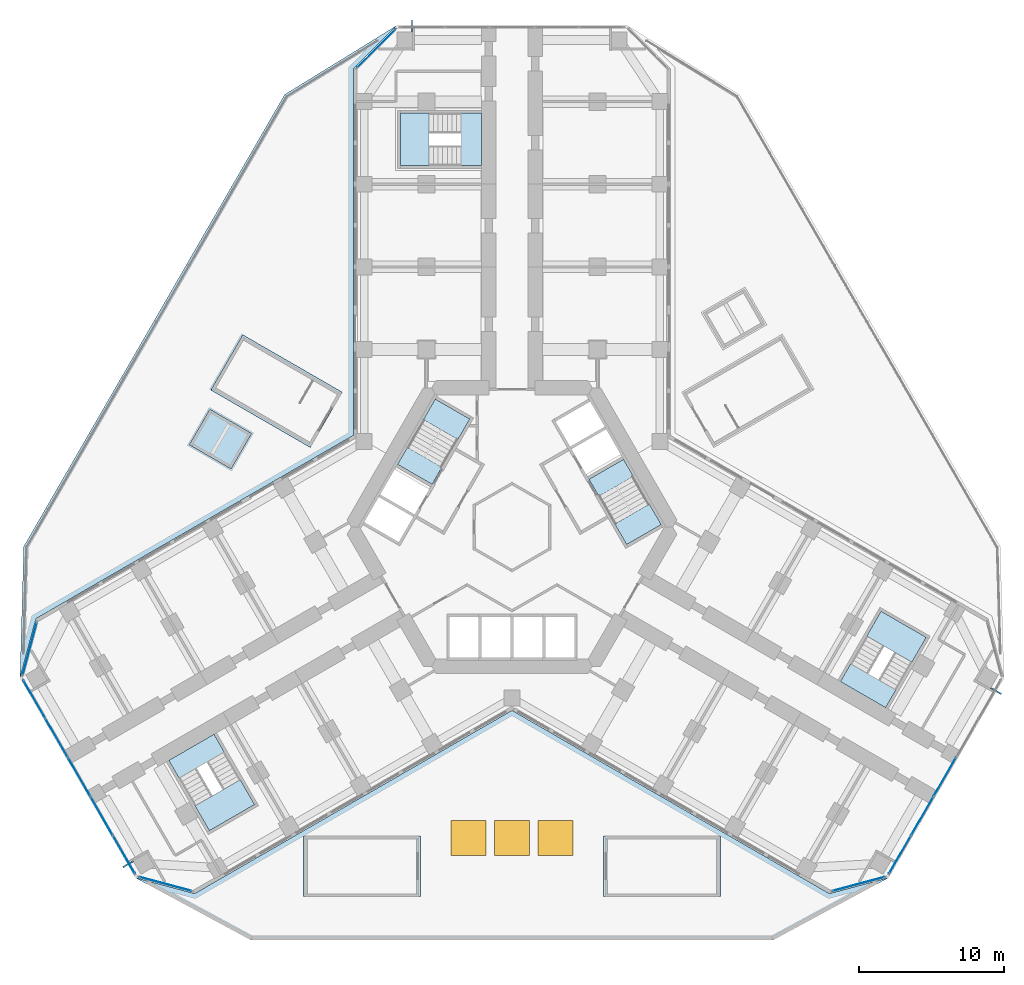
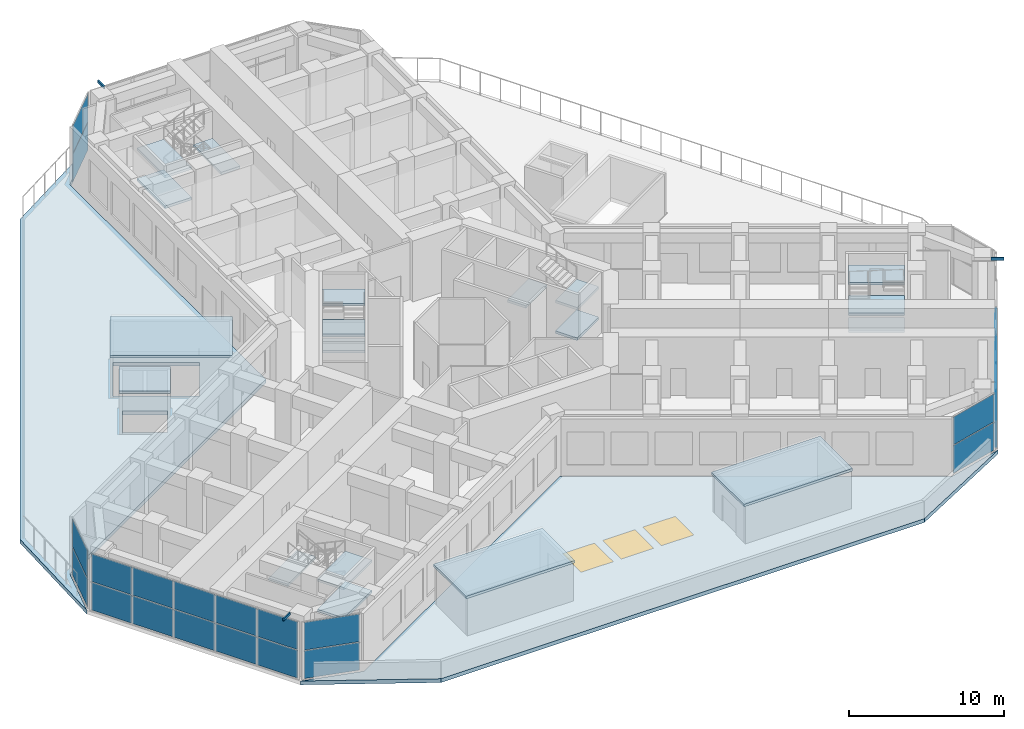
# One storey, part 8 of 18: 24 plates, 21 slabs, 3 members, 3 windows, 3 openings, 11 elements without a shape of their own.
"""IFC4 building model written with IfcOpenShell, lengths in metres."""

from ifc_helpers import new_model, si_unit, direction, frame, origin, origin_2d, place, context, subcontext, project, spatial, polyline, rectangle, hollow_rectangle, outline, extrude, material, layer, layer_set, material_profile, profile_set, type_object, element, fill, aggregate, save


model = new_model("IFC4")

# Units and contexts
model_context = context("Model", 3, precision=1e-05, world=origin(), true_north=direction((0.0, 1.0)))
body_context = subcontext(model_context, "Body", "Model", "MODEL_VIEW")
ifc_project = project(units=[si_unit("LENGTHUNIT", "METRE"), si_unit("AREAUNIT", "SQUARE_METRE"), si_unit("VOLUMEUNIT", "CUBIC_METRE"), si_unit("PLANEANGLEUNIT", "RADIAN"), si_unit("MASSUNIT", "GRAM", prefix="KILO")], contexts=[model_context])

# Site, building, storey
site_placement = place(None, origin())
site = spatial("IfcSite", under=ifc_project, at=site_placement, CompositionType="ELEMENT")
building_placement = place(site_placement, origin())
building = spatial("IfcBuilding", under=site, at=building_placement, Name="Kosmar Iwan School Tower", CompositionType="ELEMENT")
storey_placement = place(building_placement, frame((0.0, 0.0, 20.39990234375)))
storey = spatial("IfcBuildingStorey", under=building, at=storey_placement, Name="L04", CompositionType="ELEMENT", Elevation=20.39990234375)

# Members
ifc_material_1 = material(Name="Steel S355", Category="steel")
ifc_material_profile = material_profile(ifc_material_1, hollow_rectangle(XDim=0.10009765625, YDim=0.199951171875, WallThickness=0.008056640625, at=origin_2d()), Name="RHS 200x100x8")
ifc_profile_set = profile_set([ifc_material_profile], Name="Steel S355")
member_type = type_object("IfcMemberType", Name="Fin bracket RHS 200x100", PredefinedType="USERDEFINED", material=ifc_profile_set)
member_placement = place(storey_placement, frame((33.02392578125, -11.10107421875, 4.675048828125), z_axis=(0.866117008034, -0.49984130321, 0.0), x_axis=(0.49984130321, 0.866117008034, 0.0)))
element("IfcMember", 1, at=member_placement, inside=storey, type_object=member_type, Name="Fin bracket L05", ObjectType="FIN BRACKET", PredefinedType="USERDEFINED", context=body_context, shape_type="SweptSolid", body=[
    extrude(hollow_rectangle(XDim=0.10009765625, YDim=0.199951171875, WallThickness=0.008056640625, at=origin_2d()), origin(), (0.0, 0.0, 1.0), 0.829833984375),
])
for number, where, z_axis, x_axis, name in (
    (2, (-6.898193359375, 34.14990234375, 4.675048828125), (0.0, 1.0, 0.0), (-1.0, 0.0, 0.0), "Fin bracket L05"),
    (3, (-26.125732421875, -23.049072265625, 4.675048828125), (-0.865989634427, -0.500061949227, 0.0), (0.500061949227, -0.865989634427, 0.0), "Fin bracket L05"),
):
    element("IfcMember", number, at=place(storey_placement, frame(where, z_axis=z_axis, x_axis=x_axis)), inside=storey, type_object=member_type, Name=name, ObjectType="FIN BRACKET", PredefinedType="USERDEFINED", context=body_context, shape_type="SweptSolid", body=[
        extrude(hollow_rectangle(XDim=0.10009765625, YDim=0.199951171875, WallThickness=0.008056640625, at=origin_2d()), origin(), (0.0, 0.0, 1.0), 0.830078125),
    ])

# Slab, openings, windows
ifc_material_2 = material(Name="Concrete C35/45", Category="concrete")
ifc_layer_1 = layer(ifc_material_2, 0.300048828125)
ifc_layer_set_1 = layer_set([ifc_layer_1], Name="Atrium roof slab 300")
slab_type_1 = type_object("IfcSlabType", Name="Atrium roof slab 300", PredefinedType="ROOF", material=ifc_layer_set_1)
slab_1_placement = place(storey_placement, frame((0.0, 0.0, -0.2998046875)))
slab_1 = element("IfcSlab", 4, at=slab_1_placement, inside=storey, type_object=slab_type_1, Name="Atrium roof", PredefinedType="ROOF", context=body_context, shape_type="SweptSolid", body=[
    extrude(outline(polyline([(-18.0, -28.5), (18.0, -28.5), (25.989501953125, -24.184814453125), (21.891357421875, -25.282958984375), (0.0, -12.64404296875), (-21.891357421875, -25.282958984375), (-25.989501953125, -24.184814453125), (-18.0, -28.5)])), origin(), (0.0, 0.0, 1.0), 0.2998046875),
])
opening_1_placement = place(slab_1_placement, frame((-3.0, -21.448974609375, 0.0)))
opening_1 = element("IfcOpeningElement", 5, at=opening_1_placement, cuts=slab_1, Name="Opening RL1", PredefinedType="OPENING", context=body_context, shape_type="SweptSolid", body=[
    extrude(rectangle(XDim=2.39990234375, YDim=2.39990234375, at=origin_2d()), origin(), (0.0, 0.0, 1.0), 0.2998046875),
])
opening_2_placement = place(slab_1_placement, frame((0.0, -21.448974609375, 0.0)))
opening_2 = element("IfcOpeningElement", 6, at=opening_2_placement, cuts=slab_1, Name="Opening RL1", PredefinedType="OPENING", context=body_context, shape_type="SweptSolid", body=[
    extrude(rectangle(XDim=2.39990234375, YDim=2.39990234375, at=origin_2d()), origin(), (0.0, 0.0, 1.0), 0.2998046875),
])
opening_3_placement = place(slab_1_placement, frame((3.0, -21.448974609375, 0.0)))
opening_3 = element("IfcOpeningElement", 7, at=opening_3_placement, cuts=slab_1, Name="Opening RL1", PredefinedType="OPENING", context=body_context, shape_type="SweptSolid", body=[
    extrude(rectangle(XDim=2.39990234375, YDim=2.39990234375, at=origin_2d()), origin(), (0.0, 0.0, 1.0), 0.2998046875),
])
ifc_material_3 = material(Name="Triple glazed rooflight")
window_type = type_object("IfcWindowType", Name="Atrium rooflight 2400x2400", PartitioningType="SINGLE_PANEL", PredefinedType="SKYLIGHT", material=ifc_material_3)
window_1_placement = place(opening_1_placement, frame((0.0, 0.0, 0.249755859375)))
window_1 = element("IfcWindow", 8, at=window_1_placement, inside=storey, type_object=window_type, Name="Atrium rooflight 1", OverallHeight=2.39990234375, OverallWidth=2.39990234375, PartitioningType="SINGLE_PANEL", PredefinedType="SKYLIGHT", context=body_context, shape_type="SweptSolid", body=[
    extrude(rectangle(XDim=2.39990234375, YDim=2.39990234375, at=origin_2d()), origin(), (0.0, 0.0, 1.0), 0.050048828125),
])
fill(opening_1, window_1)
window_2_placement = place(opening_2_placement, frame((0.0, 0.0, 0.249755859375)))
window_2 = element("IfcWindow", 9, at=window_2_placement, inside=storey, type_object=window_type, Name="Atrium rooflight 2", OverallHeight=2.39990234375, OverallWidth=2.39990234375, PartitioningType="SINGLE_PANEL", PredefinedType="SKYLIGHT", context=body_context, shape_type="SweptSolid", body=[
    extrude(rectangle(XDim=2.39990234375, YDim=2.39990234375, at=origin_2d()), origin(), (0.0, 0.0, 1.0), 0.050048828125),
])
fill(opening_2, window_2)
window_3_placement = place(opening_3_placement, frame((0.0, 0.0, 0.249755859375)))
window_3 = element("IfcWindow", 10, at=window_3_placement, inside=storey, type_object=window_type, Name="Atrium rooflight 3", OverallHeight=2.39990234375, OverallWidth=2.39990234375, PartitioningType="SINGLE_PANEL", PredefinedType="SKYLIGHT", context=body_context, shape_type="SweptSolid", body=[
    extrude(rectangle(XDim=2.39990234375, YDim=2.39990234375, at=origin_2d()), origin(), (0.0, 0.0, 1.0), 0.050048828125),
])
fill(opening_3, window_3)

# Curtain wall, plates
ifc_material_4 = material(Name="Dark glass in black aluminium frame", Category="aluminium")
curtain_wall_type_1 = type_object("IfcCurtainWallType", Name="Chamfer curtain wall dark glass", PredefinedType="USERDEFINED", material=ifc_material_4)
curtain_wall_1_placement = place(storey_placement, origin())
curtain_wall_1 = element("IfcCurtainWall", 11, at=curtain_wall_1_placement, inside=storey, type_object=curtain_wall_type_1, Name="Curtain wall L04-F02", ObjectType="FACETED CURTAIN WALL", PredefinedType="USERDEFINED")
ifc_material_5 = material(Name="Dark glass", Category="glass")
ifc_layer_2 = layer(ifc_material_5, 0.028076171875)
ifc_layer_set_2 = layer_set([ifc_layer_2], Name="Dark glass panel 28")
plate_type = type_object("IfcPlateType", Name="Dark glass panel 28", PredefinedType="CURTAIN_PANEL", material=ifc_layer_set_2)
plate_1_placement = place(storey_placement, frame((23.908203125, -24.61328125, 0.06005859375), z_axis=(0.0, 0.0, 1.0), x_axis=(0.965925875495, 0.258818861462, 0.0)))
plate_1 = element("IfcPlate", 12, at=plate_1_placement, type_object=plate_type, Name="CW2 panel 1.1", PredefinedType="CURTAIN_PANEL", context=body_context, shape_type="SweptSolid", body=[
    extrude(rectangle(XDim=3.708984375, YDim=0.028076171875, at=origin_2d()), origin(), (0.0, 0.0, 1.0), 2.18505859375),
])
plate_2_placement = place(storey_placement, frame((23.908203125, -24.61328125, 2.30517578125), z_axis=(0.0, 0.0, 1.0), x_axis=(0.965925875495, 0.258818861462, 0.0)))
plate_2 = element("IfcPlate", 13, at=plate_2_placement, type_object=plate_type, Name="CW2 panel 1.2", PredefinedType="CURTAIN_PANEL", context=body_context, shape_type="SweptSolid", body=[
    extrude(rectangle(XDim=3.708984375, YDim=0.028076171875, at=origin_2d()), origin(), (0.0, 0.0, 1.0), 2.18505859375),
])
aggregate(curtain_wall_1, [plate_1, plate_2])

ifc_material_6 = material(Name="Dark glass in black aluminium frame", Category="aluminium")
curtain_wall_type_2 = type_object("IfcCurtainWallType", Name="Tower curtain wall dark glass", PredefinedType="USERDEFINED", material=ifc_material_6)
curtain_wall_2_placement = place(storey_placement, origin())
curtain_wall_2 = element("IfcCurtainWall", 14, at=curtain_wall_2_placement, inside=storey, type_object=curtain_wall_type_2, Name="Curtain wall L04-F03", ObjectType="UNITISED CURTAIN WALL", PredefinedType="USERDEFINED")
plate_3_placement = place(storey_placement, frame((26.76513671875, -22.591552734375, 0.06005859375), z_axis=(0.0, 0.0, 1.0), x_axis=(0.499999997325, 0.866025405329, 0.0)))
plate_3 = element("IfcPlate", 15, at=plate_3_placement, type_object=plate_type, Name="CW1 panel 1.1", PredefinedType="CURTAIN_PANEL", context=body_context, shape_type="SweptSolid", body=[
    extrude(rectangle(XDim=3.001708984375, YDim=0.028076171875, at=origin_2d()), origin(), (0.0, 0.0, 1.0), 2.18505859375),
])
plate_4_placement = place(storey_placement, frame((26.76513671875, -22.591552734375, 2.30517578125), z_axis=(0.0, 0.0, 1.0), x_axis=(0.499999997325, 0.866025405329, 0.0)))
plate_4 = element("IfcPlate", 16, at=plate_4_placement, type_object=plate_type, Name="CW1 panel 1.2", PredefinedType="CURTAIN_PANEL", context=body_context, shape_type="SweptSolid", body=[
    extrude(rectangle(XDim=3.001708984375, YDim=0.028076171875, at=origin_2d()), origin(), (0.0, 0.0, 1.0), 2.18505859375),
])
plate_5_placement = place(storey_placement, frame((28.306640625, -19.921630859375, 0.06005859375), z_axis=(0.0, 0.0, 1.0), x_axis=(0.499999997325, 0.866025405329, 0.0)))
plate_5 = element("IfcPlate", 17, at=plate_5_placement, type_object=plate_type, Name="CW1 panel 2.1", PredefinedType="CURTAIN_PANEL", context=body_context, shape_type="SweptSolid", body=[
    extrude(rectangle(XDim=3.0341796875, YDim=0.028076171875, at=origin_2d()), origin(), (0.0, 0.0, 1.0), 2.18505859375),
])
plate_6_placement = place(storey_placement, frame((28.306640625, -19.921630859375, 2.30517578125), z_axis=(0.0, 0.0, 1.0), x_axis=(0.499999997325, 0.866025405329, 0.0)))
plate_6 = element("IfcPlate", 18, at=plate_6_placement, type_object=plate_type, Name="CW1 panel 2.2", PredefinedType="CURTAIN_PANEL", context=body_context, shape_type="SweptSolid", body=[
    extrude(rectangle(XDim=3.0341796875, YDim=0.028076171875, at=origin_2d()), origin(), (0.0, 0.0, 1.0), 2.18505859375),
])
plate_7_placement = place(storey_placement, frame((29.856201171875, -17.237548828125, 0.06005859375), z_axis=(0.0, 0.0, 1.0), x_axis=(0.499999997325, 0.866025405329, 0.0)))
plate_7 = element("IfcPlate", 19, at=plate_7_placement, type_object=plate_type, Name="CW1 panel 3.1", PredefinedType="CURTAIN_PANEL", context=body_context, shape_type="SweptSolid", body=[
    extrude(rectangle(XDim=3.0341796875, YDim=0.028076171875, at=origin_2d()), origin(), (0.0, 0.0, 1.0), 2.18505859375),
])
plate_8_placement = place(storey_placement, frame((29.856201171875, -17.237548828125, 2.30517578125), z_axis=(0.0, 0.0, 1.0), x_axis=(0.499999997325, 0.866025405329, 0.0)))
plate_8 = element("IfcPlate", 20, at=plate_8_placement, type_object=plate_type, Name="CW1 panel 3.2", PredefinedType="CURTAIN_PANEL", context=body_context, shape_type="SweptSolid", body=[
    extrude(rectangle(XDim=3.0341796875, YDim=0.028076171875, at=origin_2d()), origin(), (0.0, 0.0, 1.0), 2.18505859375),
])
aggregate(curtain_wall_2, [plate_3, plate_4, plate_5, plate_6, plate_7, plate_8])

curtain_wall_3_placement = place(storey_placement, origin())
curtain_wall_3 = element("IfcCurtainWall", 21, at=curtain_wall_3_placement, inside=storey, type_object=curtain_wall_type_1, Name="Curtain wall L04-F09", ObjectType="FACETED CURTAIN WALL", PredefinedType="USERDEFINED")
plate_9_placement = place(storey_placement, frame((-9.361572265625, 33.01171875, 0.06005859375), z_axis=(0.0, 0.0, 1.0), x_axis=(-0.707106781187, -0.707106781187, 0.0)))
plate_9 = element("IfcPlate", 22, at=plate_9_placement, type_object=plate_type, Name="CW2 panel 1.1", PredefinedType="CURTAIN_PANEL", context=body_context, shape_type="SweptSolid", body=[
    extrude(rectangle(XDim=3.708984375, YDim=0.028076171875, at=origin_2d()), origin(), (0.0, 0.0, 1.0), 2.18505859375),
])
plate_10_placement = place(storey_placement, frame((-9.361572265625, 33.01171875, 2.30517578125), z_axis=(0.0, 0.0, 1.0), x_axis=(-0.707106781187, -0.707106781187, 0.0)))
plate_10 = element("IfcPlate", 23, at=plate_10_placement, type_object=plate_type, Name="CW2 panel 1.2", PredefinedType="CURTAIN_PANEL", context=body_context, shape_type="SweptSolid", body=[
    extrude(rectangle(XDim=3.708984375, YDim=0.028076171875, at=origin_2d()), origin(), (0.0, 0.0, 1.0), 2.18505859375),
])
aggregate(curtain_wall_3, [plate_9, plate_10])

curtain_wall_4_placement = place(storey_placement, origin())
curtain_wall_4 = element("IfcCurtainWall", 24, at=curtain_wall_4_placement, inside=storey, type_object=curtain_wall_type_1, Name="Curtain wall L04-F12", ObjectType="FACETED CURTAIN WALL", PredefinedType="USERDEFINED")
plate_11_placement = place(storey_placement, frame((-33.269775390625, -8.3984375, 0.06005859375), z_axis=(0.0, 0.0, 1.0), x_axis=(-0.258818861462, -0.965925875495, 0.0)))
plate_11 = element("IfcPlate", 25, at=plate_11_placement, type_object=plate_type, Name="CW2 panel 1.1", PredefinedType="CURTAIN_PANEL", context=body_context, shape_type="SweptSolid", body=[
    extrude(rectangle(XDim=3.708984375, YDim=0.028076171875, at=origin_2d()), origin(), (0.0, 0.0, 1.0), 2.18505859375),
])
plate_12_placement = place(storey_placement, frame((-33.269775390625, -8.3984375, 2.30517578125), z_axis=(0.0, 0.0, 1.0), x_axis=(-0.258818861462, -0.965925875495, 0.0)))
plate_12 = element("IfcPlate", 26, at=plate_12_placement, type_object=plate_type, Name="CW2 panel 1.2", PredefinedType="CURTAIN_PANEL", context=body_context, shape_type="SweptSolid", body=[
    extrude(rectangle(XDim=3.708984375, YDim=0.028076171875, at=origin_2d()), origin(), (0.0, 0.0, 1.0), 2.18505859375),
])
aggregate(curtain_wall_4, [plate_11, plate_12])

curtain_wall_5_placement = place(storey_placement, origin())
curtain_wall_5 = element("IfcCurtainWall", 27, at=curtain_wall_5_placement, inside=storey, type_object=curtain_wall_type_2, Name="Curtain wall L04-F13", ObjectType="UNITISED CURTAIN WALL", PredefinedType="USERDEFINED")
plate_13_placement = place(storey_placement, frame((-32.947509765625, -11.883544921875, 0.06005859375), z_axis=(0.0, 0.0, 1.0), x_axis=(0.499999997325, -0.866025405329, 0.0)))
plate_13 = element("IfcPlate", 28, at=plate_13_placement, type_object=plate_type, Name="CW1 panel 1.1", PredefinedType="CURTAIN_PANEL", context=body_context, shape_type="SweptSolid", body=[
    extrude(rectangle(XDim=3.001708984375, YDim=0.028076171875, at=origin_2d()), origin(), (0.0, 0.0, 1.0), 2.18505859375),
])
plate_14_placement = place(storey_placement, frame((-32.947509765625, -11.883544921875, 2.30517578125), z_axis=(0.0, 0.0, 1.0), x_axis=(0.499999997325, -0.866025405329, 0.0)))
plate_14 = element("IfcPlate", 29, at=plate_14_placement, type_object=plate_type, Name="CW1 panel 1.2", PredefinedType="CURTAIN_PANEL", context=body_context, shape_type="SweptSolid", body=[
    extrude(rectangle(XDim=3.001708984375, YDim=0.028076171875, at=origin_2d()), origin(), (0.0, 0.0, 1.0), 2.18505859375),
])
plate_15_placement = place(storey_placement, frame((-31.40576171875, -14.553466796875, 0.06005859375), z_axis=(0.0, 0.0, 1.0), x_axis=(0.499999997325, -0.866025405329, 0.0)))
plate_15 = element("IfcPlate", 30, at=plate_15_placement, type_object=plate_type, Name="CW1 panel 2.1", PredefinedType="CURTAIN_PANEL", context=body_context, shape_type="SweptSolid", body=[
    extrude(rectangle(XDim=3.0341796875, YDim=0.028076171875, at=origin_2d()), origin(), (0.0, 0.0, 1.0), 2.18505859375),
])
plate_16_placement = place(storey_placement, frame((-31.40576171875, -14.553466796875, 2.30517578125), z_axis=(0.0, 0.0, 1.0), x_axis=(0.499999997325, -0.866025405329, 0.0)))
plate_16 = element("IfcPlate", 31, at=plate_16_placement, type_object=plate_type, Name="CW1 panel 2.2", PredefinedType="CURTAIN_PANEL", context=body_context, shape_type="SweptSolid", body=[
    extrude(rectangle(XDim=3.0341796875, YDim=0.028076171875, at=origin_2d()), origin(), (0.0, 0.0, 1.0), 2.18505859375),
])
plate_17_placement = place(storey_placement, frame((-29.856201171875, -17.237548828125, 0.06005859375), z_axis=(0.0, 0.0, 1.0), x_axis=(0.499999997325, -0.866025405329, 0.0)))
plate_17 = element("IfcPlate", 32, at=plate_17_placement, type_object=plate_type, Name="CW1 panel 3.1", PredefinedType="CURTAIN_PANEL", context=body_context, shape_type="SweptSolid", body=[
    extrude(rectangle(XDim=3.0341796875, YDim=0.028076171875, at=origin_2d()), origin(), (0.0, 0.0, 1.0), 2.18505859375),
])
plate_18_placement = place(storey_placement, frame((-29.856201171875, -17.237548828125, 2.30517578125), z_axis=(0.0, 0.0, 1.0), x_axis=(0.499999997325, -0.866025405329, 0.0)))
plate_18 = element("IfcPlate", 33, at=plate_18_placement, type_object=plate_type, Name="CW1 panel 3.2", PredefinedType="CURTAIN_PANEL", context=body_context, shape_type="SweptSolid", body=[
    extrude(rectangle(XDim=3.0341796875, YDim=0.028076171875, at=origin_2d()), origin(), (0.0, 0.0, 1.0), 2.18505859375),
])
plate_19_placement = place(storey_placement, frame((-28.306640625, -19.921630859375, 0.06005859375), z_axis=(0.0, 0.0, 1.0), x_axis=(0.499999997325, -0.866025405329, 0.0)))
plate_19 = element("IfcPlate", 34, at=plate_19_placement, type_object=plate_type, Name="CW1 panel 4.1", PredefinedType="CURTAIN_PANEL", context=body_context, shape_type="SweptSolid", body=[
    extrude(rectangle(XDim=3.0341796875, YDim=0.028076171875, at=origin_2d()), origin(), (0.0, 0.0, 1.0), 2.18505859375),
])
plate_20_placement = place(storey_placement, frame((-28.306640625, -19.921630859375, 2.30517578125), z_axis=(0.0, 0.0, 1.0), x_axis=(0.499999997325, -0.866025405329, 0.0)))
plate_20 = element("IfcPlate", 35, at=plate_20_placement, type_object=plate_type, Name="CW1 panel 4.2", PredefinedType="CURTAIN_PANEL", context=body_context, shape_type="SweptSolid", body=[
    extrude(rectangle(XDim=3.0341796875, YDim=0.028076171875, at=origin_2d()), origin(), (0.0, 0.0, 1.0), 2.18505859375),
])
plate_21_placement = place(storey_placement, frame((-26.76513671875, -22.591552734375, 0.06005859375), z_axis=(0.0, 0.0, 1.0), x_axis=(0.499999997325, -0.866025405329, 0.0)))
plate_21 = element("IfcPlate", 36, at=plate_21_placement, type_object=plate_type, Name="CW1 panel 5.1", PredefinedType="CURTAIN_PANEL", context=body_context, shape_type="SweptSolid", body=[
    extrude(rectangle(XDim=3.001708984375, YDim=0.028076171875, at=origin_2d()), origin(), (0.0, 0.0, 1.0), 2.18505859375),
])
plate_22_placement = place(storey_placement, frame((-26.76513671875, -22.591552734375, 2.30517578125), z_axis=(0.0, 0.0, 1.0), x_axis=(0.499999997325, -0.866025405329, 0.0)))
plate_22 = element("IfcPlate", 37, at=plate_22_placement, type_object=plate_type, Name="CW1 panel 5.2", PredefinedType="CURTAIN_PANEL", context=body_context, shape_type="SweptSolid", body=[
    extrude(rectangle(XDim=3.001708984375, YDim=0.028076171875, at=origin_2d()), origin(), (0.0, 0.0, 1.0), 2.18505859375),
])
aggregate(curtain_wall_5, [plate_13, plate_14, plate_15, plate_16, plate_17, plate_18, plate_19, plate_20, plate_21, plate_22])

curtain_wall_6_placement = place(storey_placement, origin())
curtain_wall_6 = element("IfcCurtainWall", 38, at=curtain_wall_6_placement, inside=storey, type_object=curtain_wall_type_1, Name="Curtain wall L04-F14", ObjectType="FACETED CURTAIN WALL", PredefinedType="USERDEFINED")
plate_23_placement = place(storey_placement, frame((-23.908203125, -24.61328125, 0.06005859375), z_axis=(0.0, 0.0, 1.0), x_axis=(0.965925875495, -0.258818861462, 0.0)))
plate_23 = element("IfcPlate", 39, at=plate_23_placement, type_object=plate_type, Name="CW2 panel 1.1", PredefinedType="CURTAIN_PANEL", context=body_context, shape_type="SweptSolid", body=[
    extrude(rectangle(XDim=3.708984375, YDim=0.028076171875, at=origin_2d()), origin(), (0.0, 0.0, 1.0), 2.18505859375),
])
plate_24_placement = place(storey_placement, frame((-23.908203125, -24.61328125, 2.30517578125), z_axis=(0.0, 0.0, 1.0), x_axis=(0.965925875495, -0.258818861462, 0.0)))
plate_24 = element("IfcPlate", 40, at=plate_24_placement, type_object=plate_type, Name="CW2 panel 1.2", PredefinedType="CURTAIN_PANEL", context=body_context, shape_type="SweptSolid", body=[
    extrude(rectangle(XDim=3.708984375, YDim=0.028076171875, at=origin_2d()), origin(), (0.0, 0.0, 1.0), 2.18505859375),
])
aggregate(curtain_wall_6, [plate_23, plate_24])

# Stair, slabs
ifc_material_7 = material(Name="Concrete C35/45", Category="concrete")
stair_type_1 = type_object("IfcStairType", Name="Escape stair 3600", PredefinedType="HALF_TURN_STAIR", material=ifc_material_7)
stair_1_placement = place(storey_placement, origin())
stair_1 = element("IfcStair", 41, at=stair_1_placement, inside=storey, type_object=stair_type_1, Name="Stair WS1 L04", PredefinedType="HALF_TURN_STAIR")
ifc_material_8 = material(Name="Concrete C35/45", Category="concrete")
ifc_layer_3 = layer(ifc_material_8, 0.199951171875)
ifc_layer_set_3 = layer_set([ifc_layer_3], Name="Escape stair landing 200")
slab_type_2 = type_object("IfcSlabType", Name="Escape stair landing 200", PredefinedType="LANDING", material=ifc_layer_set_3)
slab_2_placement = place(storey_placement, frame((0.0, 0.0, 1.0)))
slab_2 = element("IfcSlab", 42, at=slab_2_placement, type_object=slab_type_2, Name="WS1 landing 1", PredefinedType="LANDING", context=body_context, shape_type="SweptSolid", body=[
    extrude(outline(polyline([(-5.719970703125, 24.949951171875), (-5.719970703125, 28.550048828125), (-7.699951171875, 28.550048828125), (-7.699951171875, 24.949951171875), (-5.719970703125, 24.949951171875)])), origin(), (0.0, 0.0, 1.0), 0.2001953125),
])
slab_3_placement = place(storey_placement, frame((0.0, 0.0, 2.2001953125)))
slab_3 = element("IfcSlab", 43, at=slab_3_placement, type_object=slab_type_2, Name="WS1 landing 2", PredefinedType="LANDING", context=body_context, shape_type="SweptSolid", body=[
    extrude(outline(polyline([(-2.10009765625, 24.949951171875), (-2.10009765625, 28.550048828125), (-3.52001953125, 28.550048828125), (-3.52001953125, 24.949951171875), (-2.10009765625, 24.949951171875)])), origin(), (0.0, 0.0, 1.0), 0.199951171875),
])
slab_4_placement = place(storey_placement, frame((0.0, 0.0, 3.400146484375)))
slab_4 = element("IfcSlab", 44, at=slab_4_placement, type_object=slab_type_2, Name="WS1 landing 3", PredefinedType="LANDING", context=body_context, shape_type="SweptSolid", body=[
    extrude(outline(polyline([(-5.719970703125, 24.949951171875), (-5.719970703125, 28.550048828125), (-7.699951171875, 28.550048828125), (-7.699951171875, 24.949951171875), (-5.719970703125, 24.949951171875)])), origin(), (0.0, 0.0, 1.0), 0.199951171875),
])
aggregate(stair_1, [slab_2, slab_3, slab_4])

stair_2_placement = place(storey_placement, origin())
stair_2 = element("IfcStair", 45, at=stair_2_placement, inside=storey, type_object=stair_type_1, Name="Stair WS2 L04", PredefinedType="HALF_TURN_STAIR")
slab_5_placement = place(storey_placement, frame((0.0, 0.0, 1.0)))
slab_5 = element("IfcSlab", 46, at=slab_5_placement, type_object=slab_type_2, Name="WS2 landing 1", PredefinedType="LANDING", context=body_context, shape_type="SweptSolid", body=[
    extrude(outline(polyline([(-18.747314453125, -17.4287109375), (-21.864990234375, -19.228759765625), (-20.875, -20.943359375), (-17.75732421875, -19.143310546875), (-18.747314453125, -17.4287109375)])), origin(), (0.0, 0.0, 1.0), 0.2001953125),
])
slab_6_placement = place(storey_placement, frame((0.0, 0.0, 2.2001953125)))
slab_6 = element("IfcSlab", 47, at=slab_6_placement, type_object=slab_type_2, Name="WS2 landing 2", PredefinedType="LANDING", context=body_context, shape_type="SweptSolid", body=[
    extrude(outline(polyline([(-20.557373046875, -14.293701171875), (-23.675048828125, -16.09375), (-22.965087890625, -17.323486328125), (-19.847412109375, -15.5234375), (-20.557373046875, -14.293701171875)])), origin(), (0.0, 0.0, 1.0), 0.199951171875),
])
slab_7_placement = place(storey_placement, frame((0.0, 0.0, 3.400146484375)))
slab_7 = element("IfcSlab", 48, at=slab_7_placement, type_object=slab_type_2, Name="WS2 landing 3", PredefinedType="LANDING", context=body_context, shape_type="SweptSolid", body=[
    extrude(outline(polyline([(-18.747314453125, -17.4287109375), (-21.864990234375, -19.228759765625), (-20.875, -20.943359375), (-17.75732421875, -19.143310546875), (-18.747314453125, -17.4287109375)])), origin(), (0.0, 0.0, 1.0), 0.199951171875),
])
aggregate(stair_2, [slab_5, slab_6, slab_7])

stair_3_placement = place(storey_placement, origin())
stair_3 = element("IfcStair", 49, at=stair_3_placement, inside=storey, type_object=stair_type_1, Name="Stair WS3 L04", PredefinedType="HALF_TURN_STAIR")
slab_8_placement = place(storey_placement, frame((0.0, 0.0, 1.0)))
slab_8 = element("IfcSlab", 50, at=slab_8_placement, type_object=slab_type_2, Name="WS3 landing 1", PredefinedType="LANDING", context=body_context, shape_type="SweptSolid", body=[
    extrude(outline(polyline([(24.46728515625, -7.521240234375), (27.5849609375, -9.3212890625), (28.574951171875, -7.606689453125), (25.457275390625, -5.806640625), (24.46728515625, -7.521240234375)])), origin(), (0.0, 0.0, 1.0), 0.2001953125),
])
slab_9_placement = place(storey_placement, frame((0.0, 0.0, 2.2001953125)))
slab_9 = element("IfcSlab", 51, at=slab_9_placement, type_object=slab_type_2, Name="WS3 landing 2", PredefinedType="LANDING", context=body_context, shape_type="SweptSolid", body=[
    extrude(outline(polyline([(22.6572265625, -10.65625), (25.775146484375, -12.456298828125), (26.485107421875, -11.2265625), (23.367431640625, -9.426513671875), (22.6572265625, -10.65625)])), origin(), (0.0, 0.0, 1.0), 0.199951171875),
])
slab_10_placement = place(storey_placement, frame((0.0, 0.0, 3.400146484375)))
slab_10 = element("IfcSlab", 52, at=slab_10_placement, type_object=slab_type_2, Name="WS3 landing 3", PredefinedType="LANDING", context=body_context, shape_type="SweptSolid", body=[
    extrude(outline(polyline([(24.46728515625, -7.521240234375), (27.5849609375, -9.3212890625), (28.574951171875, -7.606689453125), (25.457275390625, -5.806640625), (24.46728515625, -7.521240234375)])), origin(), (0.0, 0.0, 1.0), 0.199951171875),
])
aggregate(stair_3, [slab_8, slab_9, slab_10])

# Slabs
ifc_material_9 = material(Name="Concrete C35/45", Category="concrete")
ifc_layer_4 = layer(ifc_material_9, 0.199951171875)
ifc_layer_set_4 = layer_set([ifc_layer_4], Name="Lift shaft cap slab 200")
slab_type_3 = type_object("IfcSlabType", Name="Lift shaft cap slab 200", PredefinedType="ROOF", material=ifc_layer_set_4)
slab_11_placement = place(storey_placement, frame((0.0, 0.0, 3.2001953125)))
element("IfcSlab", 53, at=slab_11_placement, inside=storey, type_object=slab_type_3, Name="School stair SS1 roof", PredefinedType="ROOF", context=body_context, shape_type="SweptSolid", body=[
    extrude(outline(polyline([(-14.39990234375, -21.300048828125), (-14.39990234375, -25.5), (-6.300048828125, -25.5), (-6.300048828125, -21.300048828125), (-14.39990234375, -21.300048828125)])), origin(), (0.0, 0.0, 1.0), 0.199951171875),
])
slab_12_placement = place(storey_placement, frame((0.0, 0.0, 3.2001953125)))
element("IfcSlab", 54, at=slab_12_placement, inside=storey, type_object=slab_type_3, Name="School stair SS2 roof", PredefinedType="ROOF", context=body_context, shape_type="SweptSolid", body=[
    extrude(outline(polyline([(6.300048828125, -21.300048828125), (6.300048828125, -25.5), (14.39990234375, -25.5), (14.39990234375, -21.300048828125), (6.300048828125, -21.300048828125)])), origin(), (0.0, 0.0, 1.0), 0.199951171875),
])
slab_13_placement = place(storey_placement, frame((0.0, 0.0, 3.2001953125)))
element("IfcSlab", 55, at=slab_13_placement, inside=storey, type_object=slab_type_3, Name="School stair SS4 roof", PredefinedType="ROOF", context=body_context, shape_type="SweptSolid", body=[
    extrude(outline(polyline([(-11.71728515625, 9.30517578125), (-18.558837890625, 13.25537109375), (-20.7587890625, 9.44482421875), (-13.917236328125, 5.49462890625), (-11.71728515625, 9.30517578125)])), origin(), (0.0, 0.0, 1.0), 0.199951171875),
])
slab_14_placement = place(storey_placement, frame((0.0, 0.0, 3.2001953125)))
element("IfcSlab", 56, at=slab_14_placement, inside=storey, type_object=slab_type_3, Name="School lift SL2 shaft roof", PredefinedType="ROOF", context=body_context, shape_type="SweptSolid", body=[
    extrude(outline(polyline([(-17.981201171875, 6.45556640625), (-20.839111328125, 8.10546875), (-22.2392578125, 5.6806640625), (-19.38134765625, 4.03076171875), (-17.981201171875, 6.45556640625)])), origin(), (0.0, 0.0, 1.0), 0.199951171875),
])
ifc_material_10 = material(Name="Concrete C35/45", Category="concrete")
ifc_layer_5 = layer(ifc_material_10, 0.300048828125)
ifc_layer_set_5 = layer_set([ifc_layer_5], Name="Play deck slab 300")
slab_type_4 = type_object("IfcSlabType", Name="Play deck slab 300", PredefinedType="FLOOR", material=ifc_layer_set_5)
slab_15_placement = place(storey_placement, frame((0.0, 0.0, -0.2998046875)))
element("IfcSlab", 57, at=slab_15_placement, inside=storey, type_object=slab_type_4, Name="Play deck AB", PredefinedType="FLOOR", context=body_context, shape_type="SweptSolid", body=[
    extrude(outline(polyline([(-33.939453125, -10.4150390625), (-32.84130859375, -6.317138671875), (-10.949951171875, 6.322021484375), (-10.949951171875, 31.60009765625), (-7.949951171875, 34.60009765625), (-15.681640625, 29.83837890625), (-33.681640625, -1.33837890625), (-33.939453125, -10.4150390625)]), holes=[polyline([(-13.703125, 10.10546875), (-18.53564453125, 12.8955078125), (-20.435546875, 9.6044921875), (-15.603271484375, 6.814453125), (-13.703125, 10.10546875)]), polyline([(-18.25439453125, 6.38232421875), (-20.765869140625, 7.832275390625), (-21.966064453125, 5.75390625), (-19.45458984375, 4.303955078125), (-18.25439453125, 6.38232421875)])]), origin(), (0.0, 0.0, 1.0), 0.2998046875),
])

# Stair, slabs
ifc_material_11 = material(Name="Concrete C35/45", Category="concrete")
stair_type_2 = type_object("IfcStairType", Name="Core stair 2750", PredefinedType="HALF_TURN_STAIR", material=ifc_material_11)
stair_4_placement = place(storey_placement, origin())
stair_4 = element("IfcStair", 58, at=stair_4_placement, inside=storey, type_object=stair_type_2, Name="Stair ST2 L04", PredefinedType="HALF_TURN_STAIR")
ifc_material_12 = material(Name="Concrete C35/45", Category="concrete")
ifc_layer_6 = layer(ifc_material_12, 0.199951171875)
ifc_layer_set_6 = layer_set([ifc_layer_6], Name="Stair landing 200")
slab_type_5 = type_object("IfcSlabType", Name="Stair landing 200", PredefinedType="LANDING", material=ifc_layer_set_6)
slab_16_placement = place(storey_placement, frame((0.0, 0.0, 1.0)))
slab_16 = element("IfcSlab", 59, at=slab_16_placement, type_object=slab_type_5, Name="ST2 landing 1", PredefinedType="LANDING", context=body_context, shape_type="SweptSolid", body=[
    extrude(outline(polyline([(-2.91259765625, 7.455078125), (-5.294189453125, 8.830078125), (-6.1142578125, 7.409912109375), (-3.732666015625, 6.034912109375), (-2.91259765625, 7.455078125)])), origin(), (0.0, 0.0, 1.0), 0.2001953125),
])
slab_17_placement = place(storey_placement, frame((0.0, 0.0, 2.2001953125)))
slab_17 = element("IfcSlab", 60, at=slab_17_placement, type_object=slab_type_5, Name="ST2 landing 2", PredefinedType="LANDING", context=body_context, shape_type="SweptSolid", body=[
    extrude(outline(polyline([(-4.832763671875, 4.129638671875), (-7.214111328125, 5.504638671875), (-7.894287109375, 4.326904296875), (-5.5126953125, 2.951904296875), (-4.832763671875, 4.129638671875)])), origin(), (0.0, 0.0, 1.0), 0.199951171875),
])
slab_18_placement = place(storey_placement, frame((0.0, 0.0, 3.400146484375)))
slab_18 = element("IfcSlab", 61, at=slab_18_placement, type_object=slab_type_5, Name="ST2 landing 3", PredefinedType="LANDING", context=body_context, shape_type="SweptSolid", body=[
    extrude(outline(polyline([(-2.91259765625, 7.455078125), (-5.294189453125, 8.830078125), (-6.1142578125, 7.409912109375), (-3.732666015625, 6.034912109375), (-2.91259765625, 7.455078125)])), origin(), (0.0, 0.0, 1.0), 0.199951171875),
])
aggregate(stair_4, [slab_16, slab_17, slab_18])

stair_5_placement = place(storey_placement, origin())
stair_5 = element("IfcStair", 62, at=stair_5_placement, inside=storey, type_object=stair_type_2, Name="Stair ST1 L04", PredefinedType="HALF_TURN_STAIR")
slab_19_placement = place(storey_placement, frame((0.0, 0.0, 1.0)))
slab_19 = element("IfcSlab", 63, at=slab_19_placement, type_object=slab_type_5, Name="ST1 landing 1", PredefinedType="LANDING", context=body_context, shape_type="SweptSolid", body=[
    extrude(outline(polyline([(7.91259765625, -1.205078125), (10.294189453125, 0.169921875), (9.47412109375, 1.590087890625), (7.0927734375, 0.215087890625), (7.91259765625, -1.205078125)])), origin(), (0.0, 0.0, 1.0), 0.2001953125),
])
slab_20_placement = place(storey_placement, frame((0.0, 0.0, 2.2001953125)))
slab_20 = element("IfcSlab", 64, at=slab_20_placement, type_object=slab_type_5, Name="ST1 landing 2", PredefinedType="LANDING", context=body_context, shape_type="SweptSolid", body=[
    extrude(outline(polyline([(5.99267578125, 2.120361328125), (8.374267578125, 3.495361328125), (7.6943359375, 4.673095703125), (5.312744140625, 3.298095703125), (5.99267578125, 2.120361328125)])), origin(), (0.0, 0.0, 1.0), 0.199951171875),
])
slab_21_placement = place(storey_placement, frame((0.0, 0.0, 3.400146484375)))
slab_21 = element("IfcSlab", 65, at=slab_21_placement, type_object=slab_type_5, Name="ST1 landing 3", PredefinedType="LANDING", context=body_context, shape_type="SweptSolid", body=[
    extrude(outline(polyline([(7.91259765625, -1.205078125), (10.294189453125, 0.169921875), (9.47412109375, 1.590087890625), (7.0927734375, 0.215087890625), (7.91259765625, -1.205078125)])), origin(), (0.0, 0.0, 1.0), 0.199951171875),
])
aggregate(stair_5, [slab_19, slab_20, slab_21])

save(model, "model.ifc")
